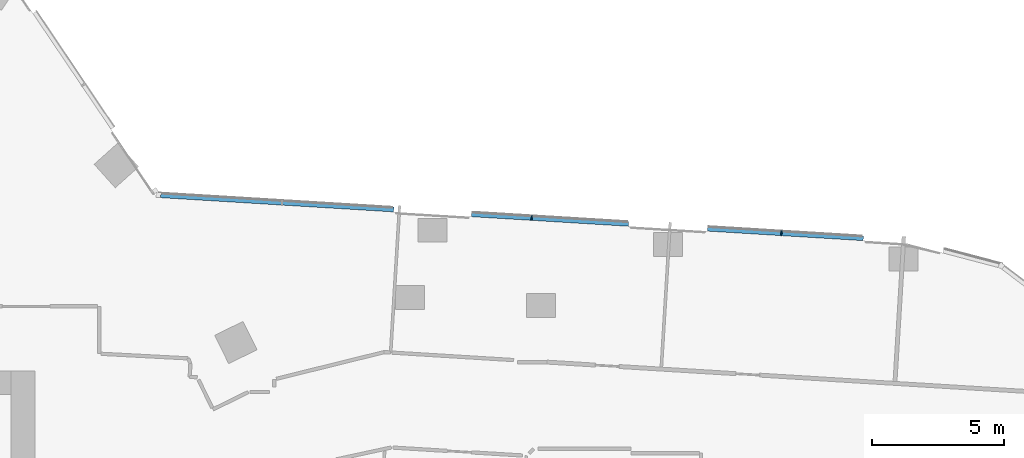
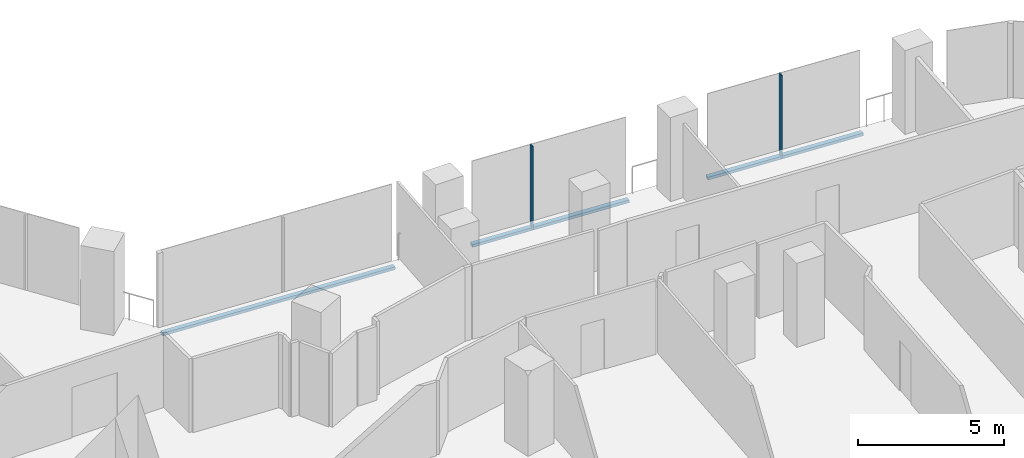
# One storey, part 12 of 34: 5 members, 1 element without a shape of its own.
"""IFC4 building model written with IfcOpenShell, lengths in metres."""

from ifc_helpers import new_model, si_unit, direction, frame, origin, origin_2d, place, context, subcontext, project, spatial, rectangle, extrude, material, material_profile, profile_set, type_object, element, aggregate, save


model = new_model("IFC4")

# Units and contexts
model_context = context("Model", 3, precision=1e-05, world=origin(), true_north=direction((0.0, 1.0)))
body_context = subcontext(model_context, "Body", "Model", "MODEL_VIEW")
ifc_project = project(units=[si_unit("LENGTHUNIT", "METRE"), si_unit("AREAUNIT", "SQUARE_METRE"), si_unit("VOLUMEUNIT", "CUBIC_METRE"), si_unit("PLANEANGLEUNIT", "RADIAN"), si_unit("MASSUNIT", "GRAM", prefix="KILO")], contexts=[model_context])

# Site, building, storey
site_placement = place(None, origin())
site = spatial("IfcSite", under=ifc_project, at=site_placement, CompositionType="ELEMENT")
building_placement = place(site_placement, origin())
building = spatial("IfcBuilding", under=site, at=building_placement, Name="Orlundy Tower", CompositionType="ELEMENT")
storey_placement = place(building_placement, frame((0.0, 0.0, 145.60009765625)))
storey = spatial("IfcBuildingStorey", under=building, at=storey_placement, Name="L37", CompositionType="ELEMENT", Elevation=145.60009765625)

# Curtain wall, members
ifc_material_1 = material(Name="Aluminium bronze anodised", Category="aluminium")
curtain_wall_type = type_object("IfcCurtainWallType", Name="CW1 wall", PredefinedType="NOTDEFINED", material=ifc_material_1)
curtain_wall_placement = place(storey_placement, origin())
curtain_wall = element("IfcCurtainWall", 1, at=curtain_wall_placement, inside=storey, type_object=curtain_wall_type, Name="CW1 run 018", PredefinedType="NOTDEFINED")
ifc_material_2 = material(Name="Aluminium bronze anodised", Category="aluminium")
ifc_material_profile_1 = material_profile(ifc_material_2, rectangle(XDim=0.179931640625, YDim=0.050048828125, at=origin_2d()), Name="CW1 mullion 50x180")
ifc_profile_set_1 = profile_set([ifc_material_profile_1], Name="Aluminium bronze anodised")
member_type_1 = type_object("IfcMemberType", Name="CW1 mullion 50x180", PredefinedType="MULLION", material=ifc_profile_set_1)
member_1_placement = place(storey_placement, frame((37.89208984375, 17.809814453125, -0.400146484375), z_axis=(0.0, 0.0, 1.0), x_axis=(0.061053768107, 0.998134478615, 0.0)))
member_1 = element("IfcMember", 2, at=member_1_placement, type_object=member_type_1, Name="CW1 mullion 54", PredefinedType="MULLION", context=body_context, shape_type="SweptSolid", body=[
    extrude(rectangle(XDim=0.179931640625, YDim=0.050048828125, at=origin_2d()), origin(), (0.0, 0.0, 1.0), 3.5),
])
member_2_placement = place(storey_placement, frame((47.385009765625, 17.229248046875, -0.400146484375), z_axis=(0.0, 0.0, 1.0), x_axis=(0.061053768107, 0.998134478615, 0.0)))
member_2 = element("IfcMember", 3, at=member_2_placement, type_object=member_type_1, Name="CW1 mullion 56", PredefinedType="MULLION", context=body_context, shape_type="SweptSolid", body=[
    extrude(rectangle(XDim=0.179931640625, YDim=0.050048828125, at=origin_2d()), origin(), (0.0, 0.0, 1.0), 3.5),
])
ifc_material_3 = material(Name="Aluminium bronze anodised", Category="aluminium")
ifc_material_profile_2 = material_profile(ifc_material_3, rectangle(XDim=0.179931640625, YDim=0.1201171875, at=origin_2d()), Name="CW1 transom 180x120")
ifc_profile_set_2 = profile_set([ifc_material_profile_2], Name="Aluminium bronze anodised")
member_type_2 = type_object("IfcMemberType", Name="CW1 transom 180x120", PredefinedType="USERDEFINED", material=ifc_profile_set_2)
member_3_placement = place(storey_placement, frame((23.78662109375, 18.672607421875, -0.340087890625), z_axis=(0.998134011152, -0.061061409925, 0.0), x_axis=(0.061061409925, 0.998134011152, 0.0)))
member_3 = element("IfcMember", 4, at=member_3_placement, type_object=member_type_2, Name="CW1 transom", ObjectType="TRANSOM", PredefinedType="USERDEFINED", context=body_context, shape_type="SweptSolid", body=[
    extrude(rectangle(XDim=0.179931640625, YDim=0.1201171875, at=origin_2d()), origin(), (0.0, 0.0, 1.0), 8.876220703125),
])
member_4_placement = place(storey_placement, frame((35.599609375, 17.949951171875, -0.340087890625), z_axis=(0.998136618199, -0.061018779154, 0.0), x_axis=(0.061018779154, 0.998136618199, 0.0)))
member_4 = element("IfcMember", 5, at=member_4_placement, type_object=member_type_2, Name="CW1 transom", ObjectType="TRANSOM", PredefinedType="USERDEFINED", context=body_context, shape_type="SweptSolid", body=[
    extrude(rectangle(XDim=0.179931640625, YDim=0.1201171875, at=origin_2d()), origin(), (0.0, 0.0, 1.0), 5.981689453125),
])
member_5_placement = place(storey_placement, frame((44.575927734375, 17.40087890625, -0.340087890625), z_axis=(0.998136663287, -0.06101804162, 0.0), x_axis=(0.06101804162, 0.998136663287, 0.0)))
member_5 = element("IfcMember", 6, at=member_5_placement, type_object=member_type_2, Name="CW1 transom", ObjectType="TRANSOM", PredefinedType="USERDEFINED", context=body_context, shape_type="SweptSolid", body=[
    extrude(rectangle(XDim=0.179931640625, YDim=0.1201171875, at=origin_2d()), origin(), (0.0, 0.0, 1.0), 5.93359375),
])
aggregate(curtain_wall, [member_1, member_2, member_3, member_4, member_5])

save(model, "model.ifc")
